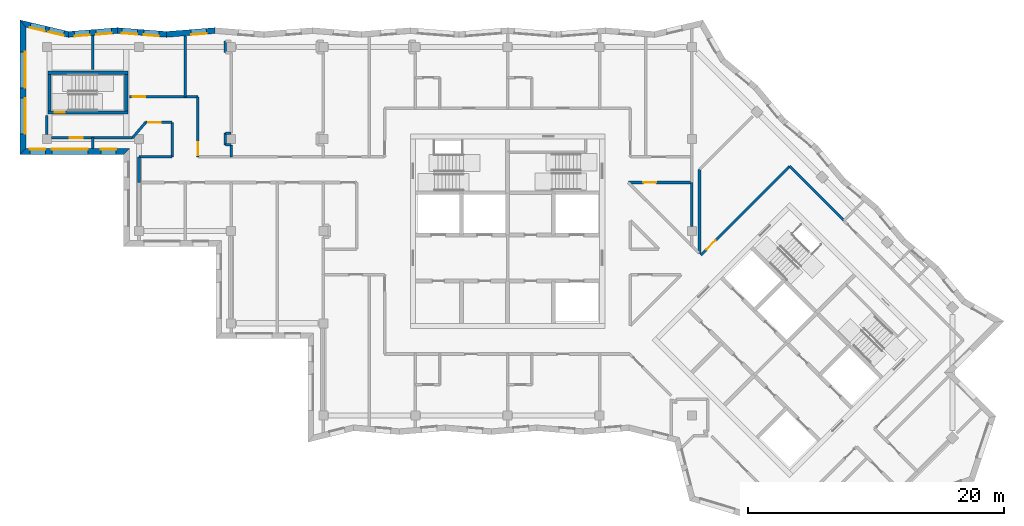
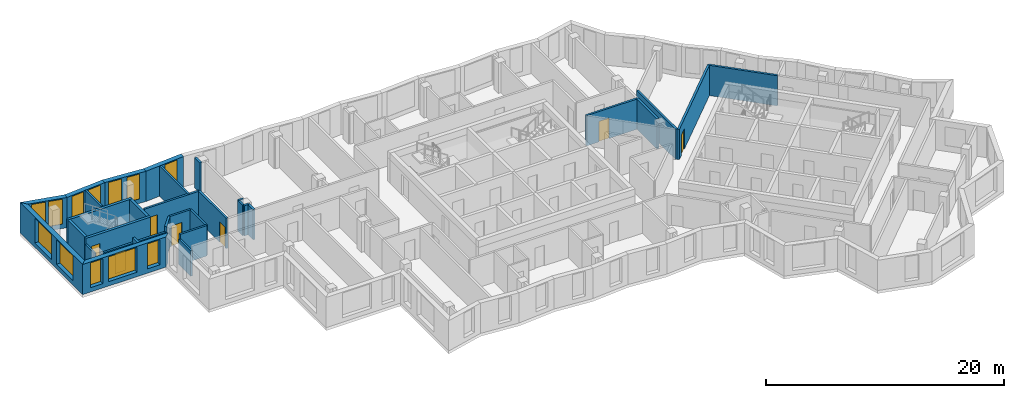
# One storey, part 5 of 13: 32 walls, 12 windows, 7 doors, 19 openings.
"""IFC4 building model written with IfcOpenShell, lengths in metres."""

import ifcopenshell
import ifcopenshell.guid

model = None  # the IFC model being written
_history = None  # IfcOwnerHistory: only IFC2X3 demands one
_inside = {}  # id of a spatial element -> (the spatial element, [elements in it])
_under = {}  # id of a project, library or spatial element -> (it, [spatial elements below it])
_declared = {}  # id of a project -> (the project, [libraries it declares])
_typed = {}  # id of a type object -> (the type object, [elements of that type])
_made_of = {}  # id of a material, layer set ... -> (it, [elements and type objects made of it])


def new_model(schema):
    """Start an empty IFC model of exactly this schema.

    Asked for "IFC4X3", IfcOpenShell would pick the latest addendum, in which some entities
    have other attributes; the version numbers below select the first issue.
    IFC2X3 requires an IfcOwnerHistory on every rooted entity: one is made here for all.
    """
    global model, _history
    if schema == "IFC4X3":
        model = ifcopenshell.file(schema_version=(4, 3, 0, 0))
    else:
        model = ifcopenshell.file(schema=schema)
    _inside.clear()
    _under.clear()
    _declared.clear()
    _typed.clear()
    _made_of.clear()
    _history = None
    if model.schema == "IFC2X3":
        org = make("IfcOrganization", Name="unknown")
        user = make(
            "IfcPersonAndOrganization",
            ThePerson=make("IfcPerson", FamilyName="unknown"),
            TheOrganization=org,
        )
        app = make(
            "IfcApplication",
            ApplicationDeveloper=org,
            Version="unknown",
            ApplicationFullName="unknown",
            ApplicationIdentifier="unknown",
        )
        _history = make(
            "IfcOwnerHistory",
            OwningUser=user,
            OwningApplication=app,
            ChangeAction="ADDED",
            CreationDate=0,
        )
    return model


def make(cls, **values):
    """One entity of the class cls with the attributes given. An attribute that is None is left unset."""
    return model.create_entity(
        cls, **{name: value for name, value in values.items() if value is not None}
    )


def rooted(cls, **values):
    """An entity with a GlobalId (a new one), such as an element, a storey or a relation."""
    return make(cls, GlobalId=ifcopenshell.guid.new(), OwnerHistory=_history, **values)


def si_unit(unit_type, name, prefix=None):
    """IfcSIUnit, for example si_unit("LENGTHUNIT", "METRE", prefix="MILLI")."""
    return make("IfcSIUnit", UnitType=unit_type, Prefix=prefix, Name=name)


def assignment(units):
    """IfcUnitAssignment: the units of a project."""
    return None if units is None else make("IfcUnitAssignment", Units=units)


def point(xyz):
    """IfcCartesianPoint."""
    return None if xyz is None else make("IfcCartesianPoint", Coordinates=xyz)


def direction(xyz):
    """IfcDirection."""
    return None if xyz is None else make("IfcDirection", DirectionRatios=xyz)


def frame(location, z_axis=None, x_axis=None):
    """IfcAxis2Placement3D, a coordinate frame: its origin and axes. An axis left out is left unset."""
    return make(
        "IfcAxis2Placement3D",
        Location=point(location),
        Axis=direction(z_axis),
        RefDirection=direction(x_axis),
    )


def frame_2d(location, x_axis=None):
    """IfcAxis2Placement2D, a coordinate frame in the plane: its origin and x axis."""
    return make(
        "IfcAxis2Placement2D", Location=point(location), RefDirection=direction(x_axis)
    )


def origin():
    """The frame at (0, 0, 0) with its axes left unset."""
    return frame((0.0, 0.0, 0.0))


def place(relative_to, where):
    """IfcLocalPlacement: puts the frame where relative to a parent placement (None: the world)."""
    return make(
        "IfcLocalPlacement", PlacementRelTo=relative_to, RelativePlacement=where
    )


def context(
    kind, dimensions, precision=None, world=None, true_north=None, identifier=None
):
    """IfcGeometricRepresentationContext, for example the 3D "Model" context."""
    return make(
        "IfcGeometricRepresentationContext",
        ContextIdentifier=identifier,
        ContextType=kind,
        CoordinateSpaceDimension=dimensions,
        Precision=precision,
        WorldCoordinateSystem=world,
        TrueNorth=true_north,
    )


def subcontext(parent, identifier, kind, view, scale=None):
    """IfcGeometricRepresentationSubContext, for example "Body" below "Model"."""
    return make(
        "IfcGeometricRepresentationSubContext",
        ContextIdentifier=identifier,
        ContextType=kind,
        ParentContext=parent,
        TargetScale=scale,
        TargetView=view,
    )


def project(units=None, contexts=None):
    """IfcProject with its units and contexts."""
    return rooted(
        "IfcProject",
        Name="project",
        RepresentationContexts=contexts,
        UnitsInContext=assignment(units),
    )


def spatial(cls, under=None, at=None, **own):
    """A site, building, storey or space (cls), placed at a placement, below another one or the project."""
    s = rooted(cls, ObjectPlacement=at, **own)
    if under is not None:
        _under.setdefault(under.id(), (under, []))[1].append(s)
    return s


def polyline(points):
    """IfcPolyline through the points."""
    return make("IfcPolyline", Points=[point(p) for p in points])


def profile(cls, at=None, kind="AREA", **sizes):
    """A parametric profile (cls). Its sizes go by their IFC names, for example OverallWidth=200.0."""
    return make(cls, ProfileType=kind, Position=at, **sizes)


def rectangle(**sizes):
    """IfcRectangleProfileDef."""
    return profile("IfcRectangleProfileDef", **sizes)


def outline(outer, holes=None, kind="AREA"):
    """IfcArbitraryClosedProfileDef: a profile drawn as a closed curve; with holes, ...WithVoids."""
    if holes is None:
        return make("IfcArbitraryClosedProfileDef", ProfileType=kind, OuterCurve=outer)
    return make(
        "IfcArbitraryProfileDefWithVoids",
        ProfileType=kind,
        OuterCurve=outer,
        InnerCurves=holes,
    )


def extrude(swept, where, along, depth):
    """IfcExtrudedAreaSolid: the profile swept, set in the frame where, extruded along a direction by depth."""
    return make(
        "IfcExtrudedAreaSolid",
        SweptArea=swept,
        Position=where,
        ExtrudedDirection=direction(along),
        Depth=depth,
    )


def shape(context_of_items, identifier, shape_type, items):
    """IfcShapeRepresentation: the items that make up one representation, for example the "Body"."""
    return make(
        "IfcShapeRepresentation",
        ContextOfItems=context_of_items,
        RepresentationIdentifier=identifier,
        RepresentationType=shape_type,
        Items=items,
    )


def material(Name=None, Category=None):
    """IfcMaterial."""
    return make("IfcMaterial", Name=Name, Category=Category)


def layer(
    of_material, thickness, ventilated=None, Name=None, Category=None, Priority=None
):
    """IfcMaterialLayer: one layer of a wall or slab, of a material (None: an air gap)."""
    return make(
        "IfcMaterialLayer",
        Material=of_material,
        LayerThickness=thickness,
        IsVentilated=ventilated,
        Name=Name,
        Category=Category,
        Priority=Priority,
    )


def layer_set(layers, Name=None):
    """IfcMaterialLayerSet."""
    return make("IfcMaterialLayerSet", MaterialLayers=layers, LayerSetName=Name)


def made_of(thing, what):
    """Note that an element or type object is made of a material, layer set ...; save() writes the relation."""
    if what is not None:
        _made_of.setdefault(what.id(), (what, []))[1].append(thing)
    return thing


def type_object(cls, material=None, **own):
    """A type object (cls), such as IfcWallType, which elements share."""
    return made_of(rooted(cls, **own), material)


def element(
    cls,
    number,
    at=None,
    inside=None,
    cuts=None,
    type_object=None,
    material=None,
    context=None,
    identifier="Body",
    shape_type=None,
    held_by="IfcProductDefinitionShape",
    body=None,
    shapes=None,
    **own,
):
    """One element of the class cls, such as IfcWall. Its Tag is "e" and its number.

    at: its placement. inside: the storey or other place that contains it. cuts: it is an
    opening in that element (IfcRelVoidsElement). A single representation is given by context,
    identifier, shape_type and body (its items); several are given by shapes. held_by: the class
    of the entity that holds the representations. save() writes the other relations.
    """
    e = rooted(cls, Tag="e%d" % number, ObjectPlacement=at, **own)
    if body is not None:
        shapes = [shape(context, identifier, shape_type, body)]
    if shapes is not None:
        e.Representation = make(held_by, Representations=shapes)
    if inside is not None:
        _inside.setdefault(inside.id(), (inside, []))[1].append(e)
    if cuts is not None:
        rooted(
            "IfcRelVoidsElement", RelatingBuildingElement=cuts, RelatedOpeningElement=e
        )
    if type_object is not None:
        _typed.setdefault(type_object.id(), (type_object, []))[1].append(e)
    return made_of(e, material)


def fill(opening, filler):
    """IfcRelFillsElement: the door or window that sits in an opening."""
    return rooted(
        "IfcRelFillsElement",
        RelatingOpeningElement=opening,
        RelatedBuildingElement=filler,
    )


def aggregate(whole, parts):
    """IfcRelAggregates: a whole, such as a stair, and the parts it consists of."""
    return rooted("IfcRelAggregates", RelatingObject=whole, RelatedObjects=parts)


def save(model, path):
    """Write the relations noted so far, then the file.

    IfcRelAggregates (storeys below a building ...), IfcRelContainedInSpatialStructure (elements
    in a storey), IfcRelDefinesByType, IfcRelAssociatesMaterial and IfcRelDeclares: one each for
    every whole, place, type object, material and project.
    """
    for whole, parts in _under.values():
        aggregate(whole, parts)
    for where, things in _inside.values():
        rooted(
            "IfcRelContainedInSpatialStructure",
            RelatedElements=things,
            RelatingStructure=where,
        )
    for kind, things in _typed.values():
        rooted("IfcRelDefinesByType", RelatedObjects=things, RelatingType=kind)
    for what, things in _made_of.values():
        rooted("IfcRelAssociatesMaterial", RelatedObjects=things, RelatingMaterial=what)
    for by, libraries in _declared.values():
        rooted("IfcRelDeclares", RelatingContext=by, RelatedDefinitions=libraries)
    model.write(path)


model = new_model("IFC4")

# Units and contexts
model_context = context("Model", 3, precision=1e-05, world=origin(), true_north=direction((0.0, 1.0)))
body_context = subcontext(model_context, "Body", "Model", "MODEL_VIEW")
ifc_project = project(units=[si_unit("LENGTHUNIT", "METRE"), si_unit("AREAUNIT", "SQUARE_METRE"), si_unit("VOLUMEUNIT", "CUBIC_METRE"), si_unit("PLANEANGLEUNIT", "RADIAN"), si_unit("MASSUNIT", "GRAM", prefix="KILO")], contexts=[model_context])

# Site, building, storey
site_placement = place(None, origin())
site = spatial("IfcSite", under=ifc_project, at=site_placement, CompositionType="ELEMENT")
building_placement = place(site_placement, origin())
building = spatial("IfcBuilding", under=site, at=building_placement, Name="Windrow Commons", CompositionType="ELEMENT")
storey_placement = place(building_placement, frame((0.0, 0.0, 243.8)))
storey = spatial("IfcBuildingStorey", under=building, at=storey_placement, Name="L66", CompositionType="ELEMENT", Elevation=243.8)

# Wall, opening, window
ifc_material_1 = material(Name="Brick masonry, red clay brick", Category="masonry")
ifc_layer_1 = layer(ifc_material_1, 0.45)
ifc_layer_set_1 = layer_set([ifc_layer_1], Name="Brick facade wall 450")
wall_type_1 = type_object("IfcWallType", Name="Brick facade wall 450", PredefinedType="SOLIDWALL", material=ifc_layer_set_1)
wall_1_placement = place(storey_placement, frame((41.9485, 73.2743, 0.0), z_axis=(0.0, 0.0, 1.0), x_axis=(-0.9969177178, -0.0784542156, 0.0)))
wall_1 = element("IfcWall", 1, at=wall_1_placement, inside=storey, type_object=wall_type_1, Name="Brick facade wall L66 27", PredefinedType="SOLIDWALL", context=body_context, shape_type="SweptSolid", body=[
    extrude(outline(polyline([(-0.0177, -0.225), (3.8062, -0.225), (3.8416, 0.225), (0.0177, 0.225), (-0.0177, -0.225)])), origin(), (0.0, 0.0, 1.0), 3.1),
])
opening_1_placement = place(wall_1_placement, frame((0.6868, 0.0, 0.45)))
opening_1 = element("IfcOpeningElement", 2, at=opening_1_placement, cuts=wall_1, Name="Opening W7F", PredefinedType="OPENING", context=body_context, shape_type="SweptSolid", body=[
    extrude(rectangle(XDim=1.2, YDim=2.55, at=frame_2d((0.6, 1.275))), frame((0.0, 0.235, 0.0), z_axis=(0.0, -1.0, 0.0), x_axis=(1.0, 0.0, 0.0)), (0.0, 0.0, 1.0), 0.47),
])
ifc_material_2 = material(Name="Clear float glass in anodised aluminium frame", Category="aluminium")
window_type_1 = type_object("IfcWindowType", Name="Window W7 notch 1200x2550", PartitioningType="SINGLE_PANEL", PredefinedType="WINDOW", material=ifc_material_2)
window_1_placement = place(opening_1_placement, origin())
window_1 = element("IfcWindow", 3, at=window_1_placement, inside=storey, type_object=window_type_1, Name="Window L66 27.1", OverallHeight=2.55, OverallWidth=1.2, PartitioningType="SINGLE_PANEL", PredefinedType="WINDOW", context=body_context, shape_type="SweptSolid", body=[
    extrude(rectangle(XDim=1.2, YDim=2.55, at=frame_2d((0.6, 1.275))), frame((0.0, 0.205, 0.0), z_axis=(0.0, -1.0, 0.0), x_axis=(1.0, 0.0, 0.0)), (0.0, 0.0, 1.0), 0.06),
])
fill(opening_1, window_1)

# Wall, openings, windows
wall_2_placement = place(storey_placement, frame((38.1364, 72.9743, 0.0), z_axis=(0.0, 0.0, 1.0), x_axis=(-0.9969177178, 0.0784542156, 0.0)))
wall_2 = element("IfcWall", 4, at=wall_2_placement, inside=storey, type_object=wall_type_1, Name="Brick facade wall L66 28", PredefinedType="SOLIDWALL", context=body_context, shape_type="SweptSolid", body=[
    extrude(outline(polyline([(0.0177, -0.225), (3.8416, -0.225), (3.8062, 0.225), (-0.0177, 0.225), (0.0177, -0.225)])), origin(), (0.0, 0.0, 1.0), 3.1),
])
opening_2_placement = place(wall_2_placement, frame((0.5715, 0.0, 0.45)))
opening_2 = element("IfcOpeningElement", 5, at=opening_2_placement, cuts=wall_2, Name="Opening W7F", PredefinedType="OPENING", context=body_context, shape_type="SweptSolid", body=[
    extrude(rectangle(XDim=1.2, YDim=2.55, at=frame_2d((0.6, 1.275))), frame((0.0, 0.235, 0.0), z_axis=(0.0, -1.0, 0.0), x_axis=(1.0, 0.0, 0.0)), (0.0, 0.0, 1.0), 0.47),
])
opening_3_placement = place(wall_2_placement, frame((2.2746, 0.0, 0.45)))
opening_3 = element("IfcOpeningElement", 6, at=opening_3_placement, cuts=wall_2, Name="Opening W7F", PredefinedType="OPENING", context=body_context, shape_type="SweptSolid", body=[
    extrude(rectangle(XDim=1.2, YDim=2.55, at=frame_2d((0.6, 1.275))), frame((0.0, 0.235, 0.0), z_axis=(0.0, -1.0, 0.0), x_axis=(1.0, 0.0, 0.0)), (0.0, 0.0, 1.0), 0.47),
])
window_2_placement = place(opening_2_placement, origin())
window_2 = element("IfcWindow", 7, at=window_2_placement, inside=storey, type_object=window_type_1, Name="Window L66 28.1", OverallHeight=2.55, OverallWidth=1.2, PartitioningType="SINGLE_PANEL", PredefinedType="WINDOW", context=body_context, shape_type="SweptSolid", body=[
    extrude(rectangle(XDim=1.2, YDim=2.55, at=frame_2d((0.6, 1.275))), frame((0.0, 0.205, 0.0), z_axis=(0.0, -1.0, 0.0), x_axis=(1.0, 0.0, 0.0)), (0.0, 0.0, 1.0), 0.06),
])
fill(opening_2, window_2)
window_3_placement = place(opening_3_placement, origin())
window_3 = element("IfcWindow", 8, at=window_3_placement, inside=storey, type_object=window_type_1, Name="Window L66 28.2", OverallHeight=2.55, OverallWidth=1.2, PartitioningType="SINGLE_PANEL", PredefinedType="WINDOW", context=body_context, shape_type="SweptSolid", body=[
    extrude(rectangle(XDim=1.2, YDim=2.55, at=frame_2d((0.6, 1.275))), frame((0.0, 0.205, 0.0), z_axis=(0.0, -1.0, 0.0), x_axis=(1.0, 0.0, 0.0)), (0.0, 0.0, 1.0), 0.06),
])
fill(opening_3, window_3)

wall_3_placement = place(storey_placement, frame((34.3243, 73.2743, 0.0), z_axis=(0.0, 0.0, 1.0), x_axis=(-0.9969172534, -0.078460116, 0.0)))
wall_3 = element("IfcWall", 9, at=wall_3_placement, inside=storey, type_object=wall_type_1, Name="Brick facade wall L66 29", PredefinedType="SOLIDWALL", context=body_context, shape_type="SweptSolid", body=[
    extrude(outline(polyline([(-0.0177, -0.225), (3.8062, -0.225), (3.8766, 0.225), (0.0177, 0.225), (-0.0177, -0.225)])), origin(), (0.0, 0.0, 1.0), 3.1),
])
opening_4_placement = place(wall_3_placement, frame((0.474, 0.0, 0.45)))
opening_4 = element("IfcOpeningElement", 10, at=opening_4_placement, cuts=wall_3, Name="Opening W7F", PredefinedType="OPENING", context=body_context, shape_type="SweptSolid", body=[
    extrude(rectangle(XDim=1.2, YDim=2.55, at=frame_2d((0.6, 1.275))), frame((0.0, 0.235, 0.0), z_axis=(0.0, -1.0, 0.0), x_axis=(1.0, 0.0, 0.0)), (0.0, 0.0, 1.0), 0.47),
])
opening_5_placement = place(wall_3_placement, frame((2.1858, 0.0, 0.45)))
opening_5 = element("IfcOpeningElement", 11, at=opening_5_placement, cuts=wall_3, Name="Opening W7F", PredefinedType="OPENING", context=body_context, shape_type="SweptSolid", body=[
    extrude(rectangle(XDim=1.2, YDim=2.55, at=frame_2d((0.6, 1.275))), frame((0.0, 0.235, 0.0), z_axis=(0.0, -1.0, 0.0), x_axis=(1.0, 0.0, 0.0)), (0.0, 0.0, 1.0), 0.47),
])
window_4_placement = place(opening_4_placement, origin())
window_4 = element("IfcWindow", 12, at=window_4_placement, inside=storey, type_object=window_type_1, Name="Window L66 29.1", OverallHeight=2.55, OverallWidth=1.2, PartitioningType="SINGLE_PANEL", PredefinedType="WINDOW", context=body_context, shape_type="SweptSolid", body=[
    extrude(rectangle(XDim=1.2, YDim=2.55, at=frame_2d((0.6, 1.275))), frame((0.0, 0.205, 0.0), z_axis=(0.0, -1.0, 0.0), x_axis=(1.0, 0.0, 0.0)), (0.0, 0.0, 1.0), 0.06),
])
fill(opening_4, window_4)
window_5_placement = place(opening_5_placement, origin())
window_5 = element("IfcWindow", 13, at=window_5_placement, inside=storey, type_object=window_type_1, Name="Window L66 29.2", OverallHeight=2.55, OverallWidth=1.2, PartitioningType="SINGLE_PANEL", PredefinedType="WINDOW", context=body_context, shape_type="SweptSolid", body=[
    extrude(rectangle(XDim=1.2, YDim=2.55, at=frame_2d((0.6, 1.275))), frame((0.0, 0.205, 0.0), z_axis=(0.0, -1.0, 0.0), x_axis=(1.0, 0.0, 0.0)), (0.0, 0.0, 1.0), 0.06),
])
fill(opening_5, window_5)

wall_4_placement = place(storey_placement, frame((30.4947, 72.9729, 0.0), z_axis=(0.0, 0.0, 1.0), x_axis=(-0.9732423964, 0.2297808476, 0.0)))
wall_4 = element("IfcWall", 14, at=wall_4_placement, inside=storey, type_object=wall_type_1, Name="Brick facade wall L66 30", PredefinedType="SOLIDWALL", context=body_context, shape_type="SweptSolid", body=[
    extrude(outline(polyline([(0.0352, -0.225), (3.9521, -0.225), (3.3835, 0.225), (-0.0352, 0.225), (0.0352, -0.225)])), origin(), (0.0, 0.0, 1.0), 3.1),
])
opening_6_placement = place(wall_4_placement, frame((0.3706, 0.0, 0.45)))
opening_6 = element("IfcOpeningElement", 15, at=opening_6_placement, cuts=wall_4, Name="Opening W7F", PredefinedType="OPENING", context=body_context, shape_type="SweptSolid", body=[
    extrude(rectangle(XDim=1.2, YDim=2.55, at=frame_2d((0.6, 1.275))), frame((0.0, 0.235, 0.0), z_axis=(0.0, -1.0, 0.0), x_axis=(1.0, 0.0, 0.0)), (0.0, 0.0, 1.0), 0.47),
])
opening_7_placement = place(wall_4_placement, frame((1.8624, 0.0, 0.45)))
opening_7 = element("IfcOpeningElement", 16, at=opening_7_placement, cuts=wall_4, Name="Opening W7F", PredefinedType="OPENING", context=body_context, shape_type="SweptSolid", body=[
    extrude(rectangle(XDim=1.2, YDim=2.55, at=frame_2d((0.6, 1.275))), frame((0.0, 0.235, 0.0), z_axis=(0.0, -1.0, 0.0), x_axis=(1.0, 0.0, 0.0)), (0.0, 0.0, 1.0), 0.47),
])
window_6_placement = place(opening_6_placement, origin())
window_6 = element("IfcWindow", 17, at=window_6_placement, inside=storey, type_object=window_type_1, Name="Window L66 30.1", OverallHeight=2.55, OverallWidth=1.2, PartitioningType="SINGLE_PANEL", PredefinedType="WINDOW", context=body_context, shape_type="SweptSolid", body=[
    extrude(rectangle(XDim=1.2, YDim=2.55, at=frame_2d((0.6, 1.275))), frame((0.0, 0.205, 0.0), z_axis=(0.0, -1.0, 0.0), x_axis=(1.0, 0.0, 0.0)), (0.0, 0.0, 1.0), 0.06),
])
fill(opening_6, window_6)
window_7_placement = place(opening_7_placement, origin())
window_7 = element("IfcWindow", 18, at=window_7_placement, inside=storey, type_object=window_type_1, Name="Window L66 30.2", OverallHeight=2.55, OverallWidth=1.2, PartitioningType="SINGLE_PANEL", PredefinedType="WINDOW", context=body_context, shape_type="SweptSolid", body=[
    extrude(rectangle(XDim=1.2, YDim=2.55, at=frame_2d((0.6, 1.275))), frame((0.0, 0.205, 0.0), z_axis=(0.0, -1.0, 0.0), x_axis=(1.0, 0.0, 0.0)), (0.0, 0.0, 1.0), 0.06),
])
fill(opening_7, window_7)

wall_5_placement = place(storey_placement, frame((26.925, 73.8157, 0.0), z_axis=(0.0, 0.0, 1.0), x_axis=(0.0, -1.0, 0.0)))
wall_5 = element("IfcWall", 19, at=wall_5_placement, inside=storey, type_object=wall_type_1, Name="Brick facade wall L66 31", PredefinedType="SOLIDWALL", context=body_context, shape_type="SweptSolid", body=[
    extrude(outline(polyline([(-0.2843, -0.225), (10.2157, -0.225), (9.7657, 0.225), (0.2843, 0.225), (-0.2843, -0.225)])), origin(), (0.0, 0.0, 1.0), 3.1),
])
opening_8_placement = place(wall_5_placement, frame((2.2157, 0.0, 0.45)))
opening_8 = element("IfcOpeningElement", 20, at=opening_8_placement, cuts=wall_5, Name="Opening W1V", PredefinedType="OPENING", context=body_context, shape_type="SweptSolid", body=[
    extrude(rectangle(XDim=2.8, YDim=2.55, at=frame_2d((1.4, 1.275))), frame((0.0, 0.235, 0.0), z_axis=(0.0, -1.0, 0.0), x_axis=(1.0, 0.0, 0.0)), (0.0, 0.0, 1.0), 0.47),
])
opening_9_placement = place(wall_5_placement, frame((5.8157, 0.0, 0.45)))
opening_9 = element("IfcOpeningElement", 21, at=opening_9_placement, cuts=wall_5, Name="Opening W1V", PredefinedType="OPENING", context=body_context, shape_type="SweptSolid", body=[
    extrude(rectangle(XDim=2.8, YDim=2.55, at=frame_2d((1.4, 1.275))), frame((0.0, 0.235, 0.0), z_axis=(0.0, -1.0, 0.0), x_axis=(1.0, 0.0, 0.0)), (0.0, 0.0, 1.0), 0.47),
])
ifc_material_3 = material(Name="Clear float glass in anodised aluminium frame", Category="aluminium")
window_type_2 = type_object("IfcWindowType", Name="Window W1V bedroom 2800x2550", PartitioningType="SINGLE_PANEL", PredefinedType="WINDOW", material=ifc_material_3)
window_8_placement = place(opening_8_placement, origin())
window_8 = element("IfcWindow", 22, at=window_8_placement, inside=storey, type_object=window_type_2, Name="Window L66 31.1", OverallHeight=2.55, OverallWidth=2.8, PartitioningType="SINGLE_PANEL", PredefinedType="WINDOW", context=body_context, shape_type="SweptSolid", body=[
    extrude(rectangle(XDim=2.8, YDim=2.55, at=frame_2d((1.4, 1.275))), frame((0.0, 0.205, 0.0), z_axis=(0.0, -1.0, 0.0), x_axis=(1.0, 0.0, 0.0)), (0.0, 0.0, 1.0), 0.06),
])
fill(opening_8, window_8)
window_9_placement = place(opening_9_placement, origin())
window_9 = element("IfcWindow", 23, at=window_9_placement, inside=storey, type_object=window_type_2, Name="Window L66 31.2", OverallHeight=2.55, OverallWidth=2.8, PartitioningType="SINGLE_PANEL", PredefinedType="WINDOW", context=body_context, shape_type="SweptSolid", body=[
    extrude(rectangle(XDim=2.8, YDim=2.55, at=frame_2d((1.4, 1.275))), frame((0.0, 0.205, 0.0), z_axis=(0.0, -1.0, 0.0), x_axis=(1.0, 0.0, 0.0)), (0.0, 0.0, 1.0), 0.06),
])
fill(opening_9, window_9)

wall_6_placement = place(storey_placement, frame((26.925, 63.825, 0.0), z_axis=(0.0, 0.0, 1.0), x_axis=(1.0, 0.0, 0.0)))
wall_6 = element("IfcWall", 24, at=wall_6_placement, inside=storey, type_object=wall_type_1, Name="Brick facade wall L66 32", PredefinedType="SOLIDWALL", context=body_context, shape_type="SweptSolid", body=[
    extrude(outline(polyline([(-0.225, -0.225), (7.875, -0.225), (8.325, 0.225), (0.225, 0.225), (-0.225, -0.225)])), origin(), (0.0, 0.0, 1.0), 3.1),
])
opening_10_placement = place(wall_6_placement, frame((2.275, 0.0, 0.45)))
opening_10 = element("IfcOpeningElement", 25, at=opening_10_placement, cuts=wall_6, Name="Opening W1V", PredefinedType="OPENING", context=body_context, shape_type="SweptSolid", body=[
    extrude(rectangle(XDim=2.8, YDim=2.55, at=frame_2d((1.4, 1.275))), frame((0.0, 0.235, 0.0), z_axis=(0.0, -1.0, 0.0), x_axis=(1.0, 0.0, 0.0)), (0.0, 0.0, 1.0), 0.47),
])
opening_11_placement = place(wall_6_placement, frame((0.55, 0.0, 0.45)))
opening_11 = element("IfcOpeningElement", 26, at=opening_11_placement, cuts=wall_6, Name="Opening W7F", PredefinedType="OPENING", context=body_context, shape_type="SweptSolid", body=[
    extrude(rectangle(XDim=1.2, YDim=2.55, at=frame_2d((0.6, 1.275))), frame((0.0, 0.235, 0.0), z_axis=(0.0, -1.0, 0.0), x_axis=(1.0, 0.0, 0.0)), (0.0, 0.0, 1.0), 0.47),
])
opening_12_placement = place(wall_6_placement, frame((6.0875, 0.0, 0.45)))
opening_12 = element("IfcOpeningElement", 27, at=opening_12_placement, cuts=wall_6, Name="Opening W7F", PredefinedType="OPENING", context=body_context, shape_type="SweptSolid", body=[
    extrude(rectangle(XDim=1.2, YDim=2.55, at=frame_2d((0.6, 1.275))), frame((0.0, 0.235, 0.0), z_axis=(0.0, -1.0, 0.0), x_axis=(1.0, 0.0, 0.0)), (0.0, 0.0, 1.0), 0.47),
])
window_10_placement = place(opening_10_placement, origin())
window_10 = element("IfcWindow", 28, at=window_10_placement, inside=storey, type_object=window_type_2, Name="Window L66 32.1", OverallHeight=2.55, OverallWidth=2.8, PartitioningType="SINGLE_PANEL", PredefinedType="WINDOW", context=body_context, shape_type="SweptSolid", body=[
    extrude(rectangle(XDim=2.8, YDim=2.55, at=frame_2d((1.4, 1.275))), frame((0.0, 0.205, 0.0), z_axis=(0.0, -1.0, 0.0), x_axis=(1.0, 0.0, 0.0)), (0.0, 0.0, 1.0), 0.06),
])
fill(opening_10, window_10)
window_11_placement = place(opening_11_placement, origin())
window_11 = element("IfcWindow", 29, at=window_11_placement, inside=storey, type_object=window_type_1, Name="Window L66 32.2", OverallHeight=2.55, OverallWidth=1.2, PartitioningType="SINGLE_PANEL", PredefinedType="WINDOW", context=body_context, shape_type="SweptSolid", body=[
    extrude(rectangle(XDim=1.2, YDim=2.55, at=frame_2d((0.6, 1.275))), frame((0.0, 0.205, 0.0), z_axis=(0.0, -1.0, 0.0), x_axis=(1.0, 0.0, 0.0)), (0.0, 0.0, 1.0), 0.06),
])
fill(opening_11, window_11)
window_12_placement = place(opening_12_placement, origin())
window_12 = element("IfcWindow", 30, at=window_12_placement, inside=storey, type_object=window_type_1, Name="Window L66 32.3", OverallHeight=2.55, OverallWidth=1.2, PartitioningType="SINGLE_PANEL", PredefinedType="WINDOW", context=body_context, shape_type="SweptSolid", body=[
    extrude(rectangle(XDim=1.2, YDim=2.55, at=frame_2d((0.6, 1.275))), frame((0.0, 0.205, 0.0), z_axis=(0.0, -1.0, 0.0), x_axis=(1.0, 0.0, 0.0)), (0.0, 0.0, 1.0), 0.06),
])
fill(opening_12, window_12)

# Wall, opening, door
ifc_material_4 = material(Name="Blockwork partition", Category="masonry")
ifc_layer_2 = layer(ifc_material_4, 0.2)
ifc_layer_set_2 = layer_set([ifc_layer_2], Name="IW-CORRIDOR-200")
wall_type_2 = type_object("IfcWallType", Name="IW-CORRIDOR-200", PredefinedType="PARTITIONING", material=ifc_layer_set_2)
wall_7_placement = place(storey_placement, frame((79.9075, 55.7385, 0.0), z_axis=(0.0, 0.0, 1.0), x_axis=(0.7071067812, 0.7071067812, 0.0)))
wall_7 = element("IfcWall", 31, at=wall_7_placement, inside=storey, type_object=wall_type_2, Name="W-L66-W008", PredefinedType="PARTITIONING", context=body_context, shape_type="SweptSolid", body=[
    extrude(rectangle(XDim=9.7977, YDim=0.2, at=frame_2d((4.8989, 0.0))), origin(), (0.0, 0.0, 1.0), 3.1),
])
opening_13_placement = place(wall_7_placement, frame((0.6159, 0.0, 0.0)))
opening_13 = element("IfcOpeningElement", 32, at=opening_13_placement, cuts=wall_7, Name="Opening D310F", PredefinedType="OPENING", context=body_context, shape_type="SweptSolid", body=[
    extrude(rectangle(XDim=1.0, YDim=2.1, at=frame_2d((0.5, 1.05))), frame((0.0, 0.11, 0.0), z_axis=(0.0, -1.0, 0.0), x_axis=(1.0, 0.0, 0.0)), (0.0, 0.0, 1.0), 0.22),
])
ifc_material_5 = material(Name="Timber door leaf", Category="wood")
door_type_1 = type_object("IfcDoorType", Name="DT-AMENITY-1000", OperationType="SINGLE_SWING_LEFT", PredefinedType="DOOR", material=ifc_material_5)
door_1_placement = place(opening_13_placement, origin())
door_1 = element("IfcDoor", 33, at=door_1_placement, inside=storey, type_object=door_type_1, Name="D-L66-D027", OperationType="SINGLE_SWING_LEFT", OverallHeight=2.1, OverallWidth=1.0, PredefinedType="DOOR", context=body_context, shape_type="SweptSolid", body=[
    extrude(rectangle(XDim=1.0, YDim=2.1, at=frame_2d((0.5, 1.05))), frame((0.0, 0.025, 0.0), z_axis=(0.0, -1.0, 0.0), x_axis=(1.0, 0.0, 0.0)), (0.0, 0.0, 1.0), 0.05),
])
fill(opening_13, door_1)

wall_8_placement = place(storey_placement, frame((29.15, 64.9, 0.0), z_axis=(0.0, 0.0, 1.0), x_axis=(1.0, 0.0, 0.0)))
wall_8 = element("IfcWall", 34, at=wall_8_placement, inside=storey, type_object=wall_type_2, Name="W-L66-W019", PredefinedType="PARTITIONING", context=body_context, shape_type="SweptSolid", body=[
    extrude(rectangle(XDim=6.35, YDim=0.2, at=frame_2d((3.175, 0.0))), origin(), (0.0, 0.0, 1.0), 2.6),
])
opening_14_placement = place(wall_8_placement, frame((1.4455, 0.0, 0.0)))
opening_14 = element("IfcOpeningElement", 35, at=opening_14_placement, cuts=wall_8, Name="Opening D310F", PredefinedType="OPENING", context=body_context, shape_type="SweptSolid", body=[
    extrude(rectangle(XDim=1.0, YDim=2.1, at=frame_2d((0.5, 1.05))), frame((0.0, 0.11, 0.0), z_axis=(0.0, -1.0, 0.0), x_axis=(1.0, 0.0, 0.0)), (0.0, 0.0, 1.0), 0.22),
])
door_2_placement = place(opening_14_placement, origin())
door_2 = element("IfcDoor", 36, at=door_2_placement, inside=storey, type_object=door_type_1, Name="D-L66-D001", OperationType="SINGLE_SWING_RIGHT", OverallHeight=2.1, OverallWidth=1.0, PredefinedType="DOOR", context=body_context, shape_type="SweptSolid", body=[
    extrude(rectangle(XDim=1.0, YDim=2.1, at=frame_2d((0.5, 1.05))), frame((0.0, 0.025, 0.0), z_axis=(0.0, -1.0, 0.0), x_axis=(1.0, 0.0, 0.0)), (0.0, 0.0, 1.0), 0.05),
])
fill(opening_14, door_2)

# Wall
wall_9_placement = place(storey_placement, frame((86.8413, 62.6693, 0.0), z_axis=(0.0, 0.0, 1.0), x_axis=(0.7071067812, -0.7071067812, 0.0)))
element("IfcWall", 37, at=wall_9_placement, inside=storey, type_object=wall_type_2, Name="W-L66-W024", PredefinedType="PARTITIONING", context=body_context, shape_type="SweptSolid", body=[
    extrude(rectangle(XDim=5.9991, YDim=0.2, at=frame_2d((2.9996, 0.0))), origin(), (0.0, 0.0, 1.0), 3.1),
])

# Wall, opening, door
wall_10_placement = place(storey_placement, frame((35.246, 68.1, 0.0), z_axis=(0.0, 0.0, 1.0), x_axis=(1.0, 0.0, 0.0)))
wall_10 = element("IfcWall", 38, at=wall_10_placement, inside=storey, type_object=wall_type_2, Name="W-L66-W027", PredefinedType="PARTITIONING", context=body_context, shape_type="SweptSolid", body=[
    extrude(rectangle(XDim=5.354, YDim=0.2, at=frame_2d((2.677, 0.0))), origin(), (0.0, 0.0, 1.0), 3.1),
])
opening_15_placement = place(wall_10_placement, frame((0.254, 0.0, 0.0)))
opening_15 = element("IfcOpeningElement", 39, at=opening_15_placement, cuts=wall_10, Name="Opening D310F", PredefinedType="OPENING", context=body_context, shape_type="SweptSolid", body=[
    extrude(rectangle(XDim=1.0, YDim=2.1, at=frame_2d((0.5, 1.05))), frame((0.0, 0.11, 0.0), z_axis=(0.0, -1.0, 0.0), x_axis=(1.0, 0.0, 0.0)), (0.0, 0.0, 1.0), 0.22),
])
door_3_placement = place(opening_15_placement, origin())
door_3 = element("IfcDoor", 40, at=door_3_placement, inside=storey, type_object=door_type_1, Name="D-L66-D003", OperationType="SINGLE_SWING_LEFT", OverallHeight=2.1, OverallWidth=1.0, PredefinedType="DOOR", context=body_context, shape_type="SweptSolid", body=[
    extrude(rectangle(XDim=1.0, YDim=2.1, at=frame_2d((0.5, 1.05))), frame((0.0, 0.025, 0.0), z_axis=(0.0, -1.0, 0.0), x_axis=(1.0, 0.0, 0.0)), (0.0, 0.0, 1.0), 0.05),
])
fill(opening_15, door_3)

wall_11_placement = place(storey_placement, frame((74.246, 61.4, 0.0), z_axis=(0.0, 0.0, 1.0), x_axis=(1.0, 0.0, 0.0)))
wall_11 = element("IfcWall", 41, at=wall_11_placement, inside=storey, type_object=wall_type_2, Name="W-L66-W029", PredefinedType="PARTITIONING", context=body_context, shape_type="SweptSolid", body=[
    extrude(rectangle(XDim=4.954, YDim=0.2, at=frame_2d((2.477, 0.0))), origin(), (0.0, 0.0, 1.0), 3.1),
])
opening_16_placement = place(wall_11_placement, frame((1.1698, 0.0, 0.0)))
opening_16 = element("IfcOpeningElement", 42, at=opening_16_placement, cuts=wall_11, Name="Opening D410F", PredefinedType="OPENING", context=body_context, shape_type="SweptSolid", body=[
    extrude(rectangle(XDim=1.0, YDim=2.1, at=frame_2d((0.5, 1.05))), frame((0.0, 0.11, 0.0), z_axis=(0.0, -1.0, 0.0), x_axis=(1.0, 0.0, 0.0)), (0.0, 0.0, 1.0), 0.22),
])
ifc_material_6 = material(Name="Timber door leaf", Category="wood")
door_type_2 = type_object("IfcDoorType", Name="DT-SERVICE-1000", OperationType="SINGLE_SWING_LEFT", PredefinedType="DOOR", material=ifc_material_6)
door_4_placement = place(opening_16_placement, origin())
door_4 = element("IfcDoor", 43, at=door_4_placement, inside=storey, type_object=door_type_2, Name="D-L66-D026", OperationType="SINGLE_SWING_RIGHT", OverallHeight=2.1, OverallWidth=1.0, PredefinedType="DOOR", context=body_context, shape_type="SweptSolid", body=[
    extrude(rectangle(XDim=1.0, YDim=2.1, at=frame_2d((0.5, 1.05))), frame((0.0, 0.025, 0.0), z_axis=(0.0, -1.0, 0.0), x_axis=(1.0, 0.0, 0.0)), (0.0, 0.0, 1.0), 0.05),
])
fill(opening_16, door_4)

wall_12_placement = place(storey_placement, frame((40.6, 63.41, 0.0), z_axis=(0.0, 0.0, 1.0), x_axis=(0.0, 1.0, 0.0)))
wall_12 = element("IfcWall", 44, at=wall_12_placement, inside=storey, type_object=wall_type_2, Name="W-L66-W035", PredefinedType="PARTITIONING", context=body_context, shape_type="SweptSolid", body=[
    extrude(rectangle(XDim=4.69, YDim=0.2, at=frame_2d((2.345, 0.0))), origin(), (0.0, 0.0, 1.0), 3.1),
])
opening_17_placement = place(wall_12_placement, frame((0.1379, 0.0, 0.0)))
opening_17 = element("IfcOpeningElement", 45, at=opening_17_placement, cuts=wall_12, Name="Opening D310F", PredefinedType="OPENING", context=body_context, shape_type="SweptSolid", body=[
    extrude(rectangle(XDim=1.0, YDim=2.1, at=frame_2d((0.5, 1.05))), frame((0.0, 0.11, 0.0), z_axis=(0.0, -1.0, 0.0), x_axis=(1.0, 0.0, 0.0)), (0.0, 0.0, 1.0), 0.22),
])
door_5_placement = place(opening_17_placement, origin())
door_5 = element("IfcDoor", 46, at=door_5_placement, inside=storey, type_object=door_type_1, Name="D-L66-D005", OperationType="SINGLE_SWING_LEFT", OverallHeight=2.1, OverallWidth=1.0, PredefinedType="DOOR", context=body_context, shape_type="SweptSolid", body=[
    extrude(rectangle(XDim=1.0, YDim=2.1, at=frame_2d((0.5, 1.05))), frame((0.0, 0.025, 0.0), z_axis=(0.0, -1.0, 0.0), x_axis=(1.0, 0.0, 0.0)), (0.0, 0.0, 1.0), 0.05),
])
fill(opening_17, door_5)

# Walls
wall_13_placement = place(storey_placement, frame((38.6, 63.41, 0.0), z_axis=(0.0, 0.0, 1.0), x_axis=(0.0, 1.0, 0.0)))
element("IfcWall", 47, at=wall_13_placement, inside=storey, type_object=wall_type_2, Name="W-L66-W054", PredefinedType="PARTITIONING", context=body_context, shape_type="SweptSolid", body=[
    extrude(rectangle(XDim=2.68, YDim=0.2, at=frame_2d((1.34, 0.0))), origin(), (0.0, 0.0, 1.0), 3.1),
])
wall_14_placement = place(storey_placement, frame((36.002, 63.4, 0.0), z_axis=(0.0, 0.0, 1.0), x_axis=(1.0, 0.0, 0.0)))
element("IfcWall", 48, at=wall_14_placement, inside=storey, type_object=wall_type_2, Name="W-L66-W058", PredefinedType="PARTITIONING", context=body_context, shape_type="SweptSolid", body=[
    extrude(rectangle(XDim=2.588, YDim=0.2, at=frame_2d((1.294, 0.0))), origin(), (0.0, 0.0, 1.0), 3.1),
])

# Wall, opening, door
wall_15_placement = place(storey_placement, frame((36.524, 66.1, 0.0), z_axis=(0.0, 0.0, 1.0), x_axis=(1.0, 0.0, 0.0)))
wall_15 = element("IfcWall", 49, at=wall_15_placement, inside=storey, type_object=wall_type_2, Name="W-L66-W073", PredefinedType="PARTITIONING", context=body_context, shape_type="SweptSolid", body=[
    extrude(rectangle(XDim=2.066, YDim=0.2, at=frame_2d((1.033, 0.0))), origin(), (0.0, 0.0, 1.0), 3.1),
])
opening_18_placement = place(wall_15_placement, frame((0.1791, 0.0, 0.0)))
opening_18 = element("IfcOpeningElement", 50, at=opening_18_placement, cuts=wall_15, Name="Opening D310F", PredefinedType="OPENING", context=body_context, shape_type="SweptSolid", body=[
    extrude(rectangle(XDim=1.0, YDim=2.1, at=frame_2d((0.5, 1.05))), frame((0.0, 0.11, 0.0), z_axis=(0.0, -1.0, 0.0), x_axis=(1.0, 0.0, 0.0)), (0.0, 0.0, 1.0), 0.22),
])
door_6_placement = place(opening_18_placement, origin())
door_6 = element("IfcDoor", 51, at=door_6_placement, inside=storey, type_object=door_type_1, Name="D-L66-D002", OperationType="SINGLE_SWING_RIGHT", OverallHeight=2.1, OverallWidth=1.0, PredefinedType="DOOR", context=body_context, shape_type="SweptSolid", body=[
    extrude(rectangle(XDim=1.0, YDim=2.1, at=frame_2d((0.5, 1.05))), frame((0.0, 0.025, 0.0), z_axis=(0.0, -1.0, 0.0), x_axis=(1.0, 0.0, 0.0)), (0.0, 0.0, 1.0), 0.05),
])
fill(opening_18, door_6)

# Walls
wall_16_placement = place(storey_placement, frame((36.0, 61.4, 0.0), z_axis=(0.0, 0.0, 1.0), x_axis=(0.0, 1.0, 0.0)))
element("IfcWall", 52, at=wall_16_placement, inside=storey, type_object=wall_type_2, Name="W-L66-W077", PredefinedType="PARTITIONING", context=body_context, shape_type="SweptSolid", body=[
    extrude(rectangle(XDim=2.0, YDim=0.2, at=frame_2d((1.0, 0.0))), origin(), (0.0, 0.0, 1.0), 2.6),
])
wall_17_placement = place(storey_placement, frame((28.8, 65.15, 0.0), z_axis=(0.0, 0.0, 1.0), x_axis=(0.0, 1.0, 0.0)))
element("IfcWall", 53, at=wall_17_placement, inside=storey, type_object=wall_type_2, Name="W-L66-W090", PredefinedType="PARTITIONING", context=body_context, shape_type="SweptSolid", body=[
    extrude(rectangle(XDim=1.506, YDim=0.2, at=frame_2d((0.753, 0.0))), origin(), (0.0, 0.0, 1.0), 2.6),
])
wall_18_placement = place(storey_placement, frame((35.5, 64.9, 0.0), z_axis=(0.0, 0.0, 1.0), x_axis=(0.6491192707, 0.7606866453, 0.0)))
element("IfcWall", 54, at=wall_18_placement, inside=storey, type_object=wall_type_2, Name="W-L66-W134", PredefinedType="PARTITIONING", context=body_context, shape_type="SweptSolid", body=[
    extrude(rectangle(XDim=1.5775, YDim=0.2, at=frame_2d((0.7887, 0.0))), origin(), (0.0, 0.0, 1.0), 3.1),
])
ifc_material_7 = material(Name="Blockwork partition", Category="masonry")
ifc_layer_3 = layer(ifc_material_7, 0.2)
ifc_layer_set_3 = layer_set([ifc_layer_3], Name="IW-PARTY-200")
wall_type_3 = type_object("IfcWallType", Name="IW-PARTY-200", PredefinedType="PARTITIONING", material=ifc_layer_set_3)
wall_19_placement = place(storey_placement, frame((79.8, 55.844, 0.0), z_axis=(0.0, 0.0, 1.0), x_axis=(0.0, 1.0, 0.0)))
element("IfcWall", 55, at=wall_19_placement, inside=storey, type_object=wall_type_3, Name="W-L66-W015", PredefinedType="PARTITIONING", context=body_context, shape_type="SweptSolid", body=[
    extrude(rectangle(XDim=6.574, YDim=0.2, at=frame_2d((3.287, 0.0))), origin(), (0.0, 0.0, 1.0), 3.1),
])
wall_20_placement = place(storey_placement, frame((39.6, 68.1, 0.0), z_axis=(0.0, 0.0, 1.0), x_axis=(0.0, 1.0, 0.0)))
element("IfcWall", 56, at=wall_20_placement, inside=storey, type_object=wall_type_3, Name="W-L66-W034", PredefinedType="PARTITIONING", context=body_context, shape_type="SweptSolid", body=[
    extrude(rectangle(XDim=4.7638, YDim=0.2, at=frame_2d((2.3819, 0.0))), origin(), (0.0, 0.0, 1.0), 3.1),
])
wall_21_placement = place(storey_placement, frame((79.2, 57.95, 0.0), z_axis=(0.0, 0.0, 1.0), x_axis=(0.0, 1.0, 0.0)))
element("IfcWall", 57, at=wall_21_placement, inside=storey, type_object=wall_type_3, Name="W-L66-W049", PredefinedType="PARTITIONING", context=body_context, shape_type="SweptSolid", body=[
    extrude(rectangle(XDim=3.45, YDim=0.2, at=frame_2d((1.725, 0.0))), origin(), (0.0, 0.0, 1.0), 3.1),
])
wall_22_placement = place(storey_placement, frame((32.4, 70.22, 0.0), z_axis=(0.0, 0.0, 1.0), x_axis=(0.0, 1.0, 0.0)))
element("IfcWall", 58, at=wall_22_placement, inside=storey, type_object=wall_type_3, Name="W-L66-W055", PredefinedType="PARTITIONING", context=body_context, shape_type="SweptSolid", body=[
    extrude(rectangle(XDim=2.6772, YDim=0.2, at=frame_2d((1.3386, 0.0))), origin(), (0.0, 0.0, 1.0), 3.1),
])
wall_23_placement = place(storey_placement, frame((43.2, 63.4, 0.0), z_axis=(0.0, 0.0, 1.0), x_axis=(0.0, 1.0, 0.0)))
element("IfcWall", 59, at=wall_23_placement, inside=storey, type_object=wall_type_3, Name="W-L66-W096", PredefinedType="PARTITIONING", context=body_context, shape_type="SweptSolid", body=[
    extrude(rectangle(XDim=0.946, YDim=0.2, at=frame_2d((0.473, 0.0))), origin(), (0.0, 0.0, 1.0), 3.1),
])
for number, where, z_axis, x_axis, name in (
    (60, (42.75, 64.346, 0.0), (0.0, 0.0, 1.0), (0.0, 1.0, 0.0), "W-L66-W101"),
    (61, (42.75, 71.546, 0.0), (0.0, 0.0, 1.0), (0.0, 1.0, 0.0), "W-L66-W103"),
):
    element("IfcWall", number, at=place(storey_placement, frame(where, z_axis=z_axis, x_axis=x_axis)), inside=storey, type_object=wall_type_3, Name=name, PredefinedType="PARTITIONING", context=body_context, shape_type="SweptSolid", body=[
        extrude(rectangle(XDim=0.908, YDim=0.2, at=frame_2d((0.454, 0.0))), origin(), (0.0, 0.0, 1.0), 3.1),
    ])
wall_24_placement = place(storey_placement, frame((32.4, 64.05, 0.0), z_axis=(0.0, 0.0, 1.0), x_axis=(0.0, 1.0, 0.0)))
element("IfcWall", 62, at=wall_24_placement, inside=storey, type_object=wall_type_3, Name="W-L66-W109", PredefinedType="PARTITIONING", context=body_context, shape_type="SweptSolid", body=[
    extrude(rectangle(XDim=0.85, YDim=0.2, at=frame_2d((0.425, 0.0))), origin(), (0.0, 0.0, 1.0), 3.1),
])
for number, where, z_axis, x_axis, name in (
    (63, (42.75, 65.25, 0.0), (0.0, 0.0, 1.0), (1.0, 0.0, 0.0), "W-L66-W122"),
    (64, (42.75, 64.35, 0.0), (0.0, 0.0, 1.0), (1.0, 0.0, 0.0), "W-L66-W123"),
):
    element("IfcWall", number, at=place(storey_placement, frame(where, z_axis=z_axis, x_axis=x_axis)), inside=storey, type_object=wall_type_3, Name=name, PredefinedType="PARTITIONING", context=body_context, shape_type="SweptSolid", body=[
        extrude(rectangle(XDim=0.45, YDim=0.2, at=frame_2d((0.225, 0.0))), origin(), (0.0, 0.0, 1.0), 3.1),
    ])

# Wall, opening, door
ifc_material_8 = material(Name="Concrete C40/50", Category="concrete")
ifc_layer_4 = layer(ifc_material_8, 0.25)
ifc_layer_set_4 = layer_set([ifc_layer_4], Name="RC SHAFT WALL 250 C40/50")
wall_type_4 = type_object("IfcWallType", Name="RC SHAFT WALL 250 C40/50", PredefinedType="SOLIDWALL", material=ifc_layer_set_4)
wall_25_placement = place(storey_placement, frame((28.875, 66.875, -0.3), z_axis=(0.0, 0.0, 1.0), x_axis=(1.0, 0.0, 0.0)))
wall_25 = element("IfcWall", 65, at=wall_25_placement, inside=storey, type_object=wall_type_4, Name="Stair enclosure wall L66 S", PredefinedType="SOLIDWALL", context=body_context, shape_type="SweptSolid", body=[
    extrude(rectangle(XDim=6.25, YDim=0.25, at=frame_2d((3.125, 0.0))), origin(), (0.0, 0.0, 1.0), 3.4),
])
opening_19_placement = place(wall_25_placement, frame((0.525, 0.0, 0.3)))
opening_19 = element("IfcOpeningElement", 66, at=opening_19_placement, cuts=wall_25, Name="Opening D23", PredefinedType="OPENING", context=body_context, shape_type="SweptSolid", body=[
    extrude(rectangle(XDim=0.8, YDim=2.1, at=frame_2d((0.4, 1.05))), frame((0.0, 0.135, 0.0), z_axis=(0.0, -1.0, 0.0), x_axis=(1.0, 0.0, 0.0)), (0.0, 0.0, 1.0), 0.27),
])
ifc_material_9 = material(Name="Steel fire door leaf", Category="steel")
door_type_3 = type_object("IfcDoorType", Name="Stair door 800", OperationType="SINGLE_SWING_LEFT", PredefinedType="DOOR", material=ifc_material_9)
door_7_placement = place(opening_19_placement, origin())
door_7 = element("IfcDoor", 67, at=door_7_placement, inside=storey, type_object=door_type_3, Name="Stair door", OperationType="SINGLE_SWING_LEFT", OverallHeight=2.1, OverallWidth=0.8, PredefinedType="DOOR", context=body_context, shape_type="SweptSolid", body=[
    extrude(rectangle(XDim=0.8, YDim=2.1, at=frame_2d((0.4, 1.05))), frame((0.0, 0.025, 0.0), z_axis=(0.0, -1.0, 0.0), x_axis=(1.0, 0.0, 0.0)), (0.0, 0.0, 1.0), 0.05),
])
fill(opening_19, door_7)

# Walls
wall_26_placement = place(storey_placement, frame((28.875, 69.975, -0.3), z_axis=(0.0, 0.0, 1.0), x_axis=(1.0, 0.0, 0.0)))
element("IfcWall", 68, at=wall_26_placement, inside=storey, type_object=wall_type_4, Name="Stair enclosure wall L66 N", PredefinedType="SOLIDWALL", context=body_context, shape_type="SweptSolid", body=[
    extrude(rectangle(XDim=6.25, YDim=0.25, at=frame_2d((3.125, 0.0))), origin(), (0.0, 0.0, 1.0), 3.4),
])
for number, where, z_axis, x_axis, name in (
    (69, (29.0, 67.0, -0.3), (0.0, 0.0, 1.0), (0.0, 1.0, 0.0), "Stair enclosure wall L66 W"),
    (70, (35.0, 67.0, -0.3), (0.0, 0.0, 1.0), (0.0, 1.0, 0.0), "Stair enclosure wall L66 E"),
):
    element("IfcWall", number, at=place(storey_placement, frame(where, z_axis=z_axis, x_axis=x_axis)), inside=storey, type_object=wall_type_4, Name=name, PredefinedType="SOLIDWALL", context=body_context, shape_type="SweptSolid", body=[
        extrude(rectangle(XDim=2.85, YDim=0.25, at=frame_2d((1.425, 0.0))), origin(), (0.0, 0.0, 1.0), 3.4),
    ])

save(model, "model.ifc")
